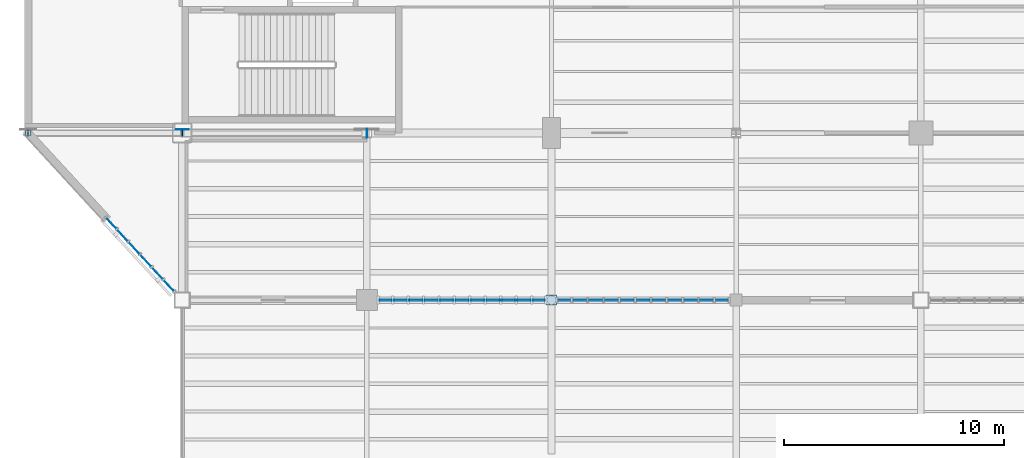
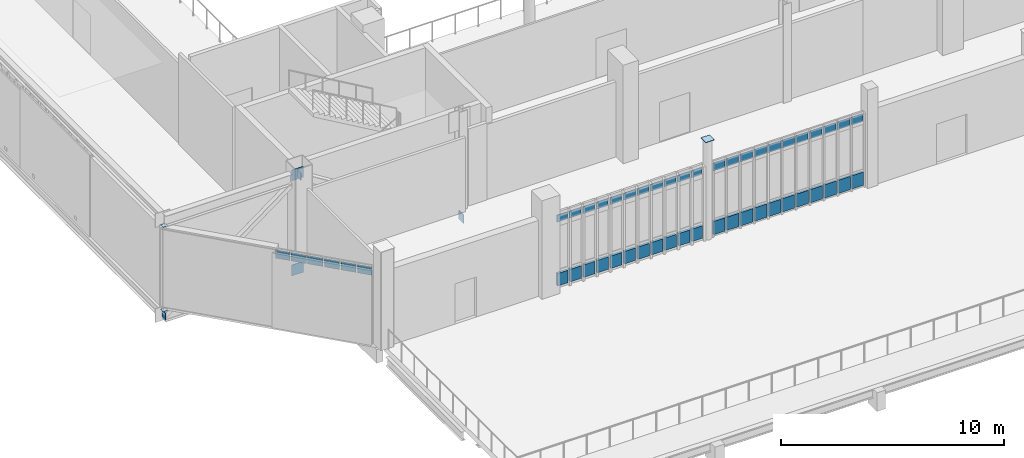
# One storey, part 84 of 127: 58 plates, 3 elements without a shape of their own.
"""IFC4 building model written with IfcOpenShell, lengths in metres."""

from ifc_helpers import new_model, si_unit, direction, frame, origin, origin_2d, place, context, subcontext, project, spatial, rectangle, extrude, material, layer, layer_set, type_object, element, aggregate, save


model = new_model("IFC4")

# Units and contexts
model_context = context("Model", 3, precision=1e-05, world=origin(), true_north=direction((0.0, 1.0)))
body_context = subcontext(model_context, "Body", "Model", "MODEL_VIEW")
ifc_project = project(units=[si_unit("LENGTHUNIT", "METRE"), si_unit("AREAUNIT", "SQUARE_METRE"), si_unit("VOLUMEUNIT", "CUBIC_METRE"), si_unit("PLANEANGLEUNIT", "RADIAN"), si_unit("MASSUNIT", "GRAM", prefix="KILO")], contexts=[model_context])

# Site, building, storey
site_placement = place(None, origin())
site = spatial("IfcSite", under=ifc_project, at=site_placement, CompositionType="ELEMENT")
building_placement = place(site_placement, origin())
building = spatial("IfcBuilding", under=site, at=building_placement, Name="Larkvane Passage Sports Hall", CompositionType="ELEMENT")
storey_placement = place(building_placement, frame((0.0, 0.0, 5.39990234375)))
storey = spatial("IfcBuildingStorey", under=building, at=storey_placement, Name="L01", CompositionType="ELEMENT", Elevation=5.39990234375)

# Curtain wall, plates
ifc_material_1 = material(Name="Thermally broken aluminium and low-E glazing", Category="aluminium")
curtain_wall_type_1 = type_object("IfcCurtainWallType", Name="CW-STICK-FOYER", PredefinedType="USERDEFINED", material=ifc_material_1)
curtain_wall_1_placement = place(storey_placement, origin())
curtain_wall_1 = element("IfcCurtainWall", 1, at=curtain_wall_1_placement, inside=storey, type_object=curtain_wall_type_1, Name="Curtain wall CW5-L01-030", ObjectType="STICK CURTAIN WALL", PredefinedType="USERDEFINED")
ifc_material_2 = material(Name="Fire-stopped shadow-box spandrel panel")
ifc_layer_1 = layer(ifc_material_2, 0.10498046875)
ifc_layer_set_1 = layer_set([ifc_layer_1], Name="Fire-stopped shadow-box spandrel panel")
plate_type_1 = type_object("IfcPlateType", Name="CWP-SPD-105", PredefinedType="CURTAIN_PANEL", material=ifc_layer_set_1)
plate_1_placement = place(storey_placement, frame((59.3486328125, 15.199951171875, 0.080078125), z_axis=(0.0, 0.0, 1.0), x_axis=(-1.0, 0.0, 0.0)))
plate_1 = element("IfcPlate", 2, at=plate_1_placement, type_object=plate_type_1, Name="CW-03 panel 1.1", PredefinedType="CURTAIN_PANEL", context=body_context, shape_type="SweptSolid", body=[
    extrude(rectangle(XDim=0.600830078125, YDim=0.10498046875, at=origin_2d()), origin(), (0.0, 0.0, 1.0), 0.72998046875),
])
plate_2_placement = place(storey_placement, frame((58.647705078125, 15.199951171875, 0.080078125), z_axis=(0.0, 0.0, 1.0), x_axis=(-1.0, 0.0, 0.0)))
plate_2 = element("IfcPlate", 3, at=plate_2_placement, type_object=plate_type_1, Name="CW-03 panel 2.1", PredefinedType="CURTAIN_PANEL", context=body_context, shape_type="SweptSolid", body=[
    extrude(rectangle(XDim=0.640869140625, YDim=0.10498046875, at=origin_2d()), origin(), (0.0, 0.0, 1.0), 0.72998046875),
])
plate_3_placement = place(storey_placement, frame((57.9267578125, 15.199951171875, 0.080078125), z_axis=(0.0, 0.0, 1.0), x_axis=(-1.0, 0.0, 0.0)))
plate_3 = element("IfcPlate", 4, at=plate_3_placement, type_object=plate_type_1, Name="CW-03 panel 3.1", PredefinedType="CURTAIN_PANEL", context=body_context, shape_type="SweptSolid", body=[
    extrude(rectangle(XDim=0.640869140625, YDim=0.10498046875, at=origin_2d()), origin(), (0.0, 0.0, 1.0), 0.72998046875),
])
plate_4_placement = place(storey_placement, frame((57.205810546875, 15.199951171875, 0.080078125), z_axis=(0.0, 0.0, 1.0), x_axis=(-1.0, 0.0, 0.0)))
plate_4 = element("IfcPlate", 5, at=plate_4_placement, type_object=plate_type_1, Name="CW-03 panel 4.1", PredefinedType="CURTAIN_PANEL", context=body_context, shape_type="SweptSolid", body=[
    extrude(rectangle(XDim=0.640869140625, YDim=0.10498046875, at=origin_2d()), origin(), (0.0, 0.0, 1.0), 0.72998046875),
])
plate_5_placement = place(storey_placement, frame((56.485107421875, 15.199951171875, 0.080078125), z_axis=(0.0, 0.0, 1.0), x_axis=(-1.0, 0.0, 0.0)))
plate_5 = element("IfcPlate", 6, at=plate_5_placement, type_object=plate_type_1, Name="CW-03 panel 5.1", PredefinedType="CURTAIN_PANEL", context=body_context, shape_type="SweptSolid", body=[
    extrude(rectangle(XDim=0.640869140625, YDim=0.10498046875, at=origin_2d()), origin(), (0.0, 0.0, 1.0), 0.72998046875),
])
plate_6_placement = place(storey_placement, frame((55.76416015625, 15.199951171875, 0.080078125), z_axis=(0.0, 0.0, 1.0), x_axis=(-1.0, 0.0, 0.0)))
plate_6 = element("IfcPlate", 7, at=plate_6_placement, type_object=plate_type_1, Name="CW-03 panel 6.1", PredefinedType="CURTAIN_PANEL", context=body_context, shape_type="SweptSolid", body=[
    extrude(rectangle(XDim=0.640869140625, YDim=0.10498046875, at=origin_2d()), origin(), (0.0, 0.0, 1.0), 0.72998046875),
])
plate_7_placement = place(storey_placement, frame((55.043212890625, 15.199951171875, 0.080078125), z_axis=(0.0, 0.0, 1.0), x_axis=(-1.0, 0.0, 0.0)))
plate_7 = element("IfcPlate", 8, at=plate_7_placement, type_object=plate_type_1, Name="CW-03 panel 7.1", PredefinedType="CURTAIN_PANEL", context=body_context, shape_type="SweptSolid", body=[
    extrude(rectangle(XDim=0.640869140625, YDim=0.10498046875, at=origin_2d()), origin(), (0.0, 0.0, 1.0), 0.72998046875),
])
plate_8_placement = place(storey_placement, frame((54.322265625, 15.199951171875, 0.080078125), z_axis=(0.0, 0.0, 1.0), x_axis=(-1.0, 0.0, 0.0)))
plate_8 = element("IfcPlate", 9, at=plate_8_placement, type_object=plate_type_1, Name="CW-03 panel 8.1", PredefinedType="CURTAIN_PANEL", context=body_context, shape_type="SweptSolid", body=[
    extrude(rectangle(XDim=0.640869140625, YDim=0.10498046875, at=origin_2d()), origin(), (0.0, 0.0, 1.0), 0.72998046875),
])
plate_9_placement = place(storey_placement, frame((53.601318359375, 15.199951171875, 0.080078125), z_axis=(0.0, 0.0, 1.0), x_axis=(-1.0, 0.0, 0.0)))
plate_9 = element("IfcPlate", 10, at=plate_9_placement, type_object=plate_type_1, Name="CW-03 panel 9.1", PredefinedType="CURTAIN_PANEL", context=body_context, shape_type="SweptSolid", body=[
    extrude(rectangle(XDim=0.640869140625, YDim=0.10498046875, at=origin_2d()), origin(), (0.0, 0.0, 1.0), 0.72998046875),
])
plate_10_placement = place(storey_placement, frame((52.880615234375, 15.199951171875, 0.080078125), z_axis=(0.0, 0.0, 1.0), x_axis=(-1.0, 0.0, 0.0)))
plate_10 = element("IfcPlate", 11, at=plate_10_placement, type_object=plate_type_1, Name="CW-03 panel 10.1", PredefinedType="CURTAIN_PANEL", context=body_context, shape_type="SweptSolid", body=[
    extrude(rectangle(XDim=0.640869140625, YDim=0.10498046875, at=origin_2d()), origin(), (0.0, 0.0, 1.0), 0.72998046875),
])
plate_11_placement = place(storey_placement, frame((52.1796875, 15.199951171875, 0.080078125), z_axis=(0.0, 0.0, 1.0), x_axis=(-1.0, 0.0, 0.0)))
plate_11 = element("IfcPlate", 12, at=plate_11_placement, type_object=plate_type_1, Name="CW-03 panel 11.1", PredefinedType="CURTAIN_PANEL", context=body_context, shape_type="SweptSolid", body=[
    extrude(rectangle(XDim=0.600830078125, YDim=0.10498046875, at=origin_2d()), origin(), (0.0, 0.0, 1.0), 0.72998046875),
])

curtain_wall_type_2 = type_object("IfcCurtainWallType", Name="CW-CLINIC", PredefinedType="USERDEFINED", material=ifc_material_1)
curtain_wall_2_placement = place(storey_placement, origin())
curtain_wall_2 = element("IfcCurtainWall", 13, at=curtain_wall_2_placement, inside=storey, type_object=curtain_wall_type_2, Name="Curtain wall CW5-L01-031", ObjectType="UNITISED CURTAIN WALL", PredefinedType="USERDEFINED")
ifc_material_3 = material(Name="Deep insulated facade spandrel panel")
ifc_layer_2 = layer(ifc_material_3, 0.125)
ifc_layer_set_2 = layer_set([ifc_layer_2], Name="Deep insulated facade spandrel panel")
plate_type_2 = type_object("IfcPlateType", Name="CWP-SPD-125", PredefinedType="CURTAIN_PANEL", material=ifc_layer_set_2)
plate_12_placement = place(storey_placement, frame((51.02197265625, 15.199951171875, 0.110107421875), z_axis=(0.0, 0.0, 1.0), x_axis=(-1.0, 0.0, 0.0)))
plate_12 = element("IfcPlate", 14, at=plate_12_placement, type_object=plate_type_2, Name="CW-05 panel 1.1", PredefinedType="CURTAIN_PANEL", context=body_context, shape_type="SweptSolid", body=[
    extrude(rectangle(XDim=0.53759765625, YDim=0.125, at=origin_2d()), origin(), (0.0, 0.0, 1.0), 0.68505859375),
])
plate_13_placement = place(storey_placement, frame((50.3466796875, 15.199951171875, 0.110107421875), z_axis=(0.0, 0.0, 1.0), x_axis=(-1.0, 0.0, 0.0)))
plate_13 = element("IfcPlate", 15, at=plate_13_placement, type_object=plate_type_2, Name="CW-05 panel 2.1", PredefinedType="CURTAIN_PANEL", context=body_context, shape_type="SweptSolid", body=[
    extrude(rectangle(XDim=0.5927734375, YDim=0.125, at=origin_2d()), origin(), (0.0, 0.0, 1.0), 0.68505859375),
])
plate_14_placement = place(storey_placement, frame((49.64404296875, 15.199951171875, 0.110107421875), z_axis=(0.0, 0.0, 1.0), x_axis=(-1.0, 0.0, 0.0)))
plate_14 = element("IfcPlate", 16, at=plate_14_placement, type_object=plate_type_2, Name="CW-05 panel 3.1", PredefinedType="CURTAIN_PANEL", context=body_context, shape_type="SweptSolid", body=[
    extrude(rectangle(XDim=0.5927734375, YDim=0.125, at=origin_2d()), origin(), (0.0, 0.0, 1.0), 0.68505859375),
])
plate_15_placement = place(storey_placement, frame((48.94140625, 15.199951171875, 0.110107421875), z_axis=(0.0, 0.0, 1.0), x_axis=(-1.0, 0.0, 0.0)))
plate_15 = element("IfcPlate", 17, at=plate_15_placement, type_object=plate_type_2, Name="CW-05 panel 4.1", PredefinedType="CURTAIN_PANEL", context=body_context, shape_type="SweptSolid", body=[
    extrude(rectangle(XDim=0.5927734375, YDim=0.125, at=origin_2d()), origin(), (0.0, 0.0, 1.0), 0.68505859375),
])
plate_16_placement = place(storey_placement, frame((48.238525390625, 15.199951171875, 0.110107421875), z_axis=(0.0, 0.0, 1.0), x_axis=(-1.0, 0.0, 0.0)))
plate_16 = element("IfcPlate", 18, at=plate_16_placement, type_object=plate_type_2, Name="CW-05 panel 5.1", PredefinedType="CURTAIN_PANEL", context=body_context, shape_type="SweptSolid", body=[
    extrude(rectangle(XDim=0.5927734375, YDim=0.125, at=origin_2d()), origin(), (0.0, 0.0, 1.0), 0.68505859375),
])
plate_17_placement = place(storey_placement, frame((47.535888671875, 15.199951171875, 0.110107421875), z_axis=(0.0, 0.0, 1.0), x_axis=(-1.0, 0.0, 0.0)))
plate_17 = element("IfcPlate", 19, at=plate_17_placement, type_object=plate_type_2, Name="CW-05 panel 6.1", PredefinedType="CURTAIN_PANEL", context=body_context, shape_type="SweptSolid", body=[
    extrude(rectangle(XDim=0.5927734375, YDim=0.125, at=origin_2d()), origin(), (0.0, 0.0, 1.0), 0.68505859375),
])
plate_18_placement = place(storey_placement, frame((46.833251953125, 15.199951171875, 0.110107421875), z_axis=(0.0, 0.0, 1.0), x_axis=(-1.0, 0.0, 0.0)))
plate_18 = element("IfcPlate", 20, at=plate_18_placement, type_object=plate_type_2, Name="CW-05 panel 7.1", PredefinedType="CURTAIN_PANEL", context=body_context, shape_type="SweptSolid", body=[
    extrude(rectangle(XDim=0.5927734375, YDim=0.125, at=origin_2d()), origin(), (0.0, 0.0, 1.0), 0.68505859375),
])
plate_19_placement = place(storey_placement, frame((46.13037109375, 15.199951171875, 0.110107421875), z_axis=(0.0, 0.0, 1.0), x_axis=(-1.0, 0.0, 0.0)))
plate_19 = element("IfcPlate", 21, at=plate_19_placement, type_object=plate_type_2, Name="CW-05 panel 8.1", PredefinedType="CURTAIN_PANEL", context=body_context, shape_type="SweptSolid", body=[
    extrude(rectangle(XDim=0.5927734375, YDim=0.125, at=origin_2d()), origin(), (0.0, 0.0, 1.0), 0.68505859375),
])
plate_20_placement = place(storey_placement, frame((45.427734375, 15.199951171875, 0.110107421875), z_axis=(0.0, 0.0, 1.0), x_axis=(-1.0, 0.0, 0.0)))
plate_20 = element("IfcPlate", 22, at=plate_20_placement, type_object=plate_type_2, Name="CW-05 panel 9.1", PredefinedType="CURTAIN_PANEL", context=body_context, shape_type="SweptSolid", body=[
    extrude(rectangle(XDim=0.5927734375, YDim=0.125, at=origin_2d()), origin(), (0.0, 0.0, 1.0), 0.68505859375),
])
plate_21_placement = place(storey_placement, frame((44.72509765625, 15.199951171875, 0.110107421875), z_axis=(0.0, 0.0, 1.0), x_axis=(-1.0, 0.0, 0.0)))
plate_21 = element("IfcPlate", 23, at=plate_21_placement, type_object=plate_type_2, Name="CW-05 panel 10.1", PredefinedType="CURTAIN_PANEL", context=body_context, shape_type="SweptSolid", body=[
    extrude(rectangle(XDim=0.5927734375, YDim=0.125, at=origin_2d()), origin(), (0.0, 0.0, 1.0), 0.68505859375),
])
plate_22_placement = place(storey_placement, frame((44.0498046875, 15.199951171875, 0.110107421875), z_axis=(0.0, 0.0, 1.0), x_axis=(-1.0, 0.0, 0.0)))
plate_22 = element("IfcPlate", 24, at=plate_22_placement, type_object=plate_type_2, Name="CW-05 panel 11.1", PredefinedType="CURTAIN_PANEL", context=body_context, shape_type="SweptSolid", body=[
    extrude(rectangle(XDim=0.53759765625, YDim=0.125, at=origin_2d()), origin(), (0.0, 0.0, 1.0), 0.68505859375),
])

curtain_wall_type_3 = type_object("IfcCurtainWallType", Name="CW-UNIT-COURT", PredefinedType="USERDEFINED", material=ifc_material_1)
curtain_wall_3_placement = place(storey_placement, origin())
curtain_wall_3 = element("IfcCurtainWall", 25, at=curtain_wall_3_placement, inside=storey, type_object=curtain_wall_type_3, Name="Curtain wall CW5-L01-032", ObjectType="UNITISED CURTAIN WALL", PredefinedType="USERDEFINED")
ifc_material_4 = material(Name="Solar-control low-E double glazing", Category="glass")
ifc_layer_3 = layer(ifc_material_4, 0.028076171875)
ifc_layer_set_3 = layer_set([ifc_layer_3], Name="Solar-control low-E double glazing")
plate_type_3 = type_object("IfcPlateType", Name="CWP-VIS-28", PredefinedType="CURTAIN_PANEL", material=ifc_layer_set_3)
plate_23_placement = place(storey_placement, frame((34.192626953125, 15.859375, 3.70068359375), z_axis=(0.0, 0.0, 1.0), x_axis=(-0.677477581746, 0.735543422397, 0.0)))
plate_23 = element("IfcPlate", 26, at=plate_23_placement, type_object=plate_type_3, Name="CW-01 panel 1.3", PredefinedType="CURTAIN_PANEL", context=body_context, shape_type="SweptSolid", body=[
    extrude(rectangle(XDim=0.681884765625, YDim=0.028076171875, at=origin_2d()), origin(), (0.0, 0.0, 1.0), 0.452392578125),
])
plate_24_placement = place(storey_placement, frame((33.67578125, 16.420654296875, 3.70068359375), z_axis=(0.0, 0.0, 1.0), x_axis=(-0.677477581746, 0.735543422397, 0.0)))
plate_24 = element("IfcPlate", 27, at=plate_24_placement, type_object=plate_type_3, Name="CW-01 panel 2.3", PredefinedType="CURTAIN_PANEL", context=body_context, shape_type="SweptSolid", body=[
    extrude(rectangle(XDim=0.71435546875, YDim=0.028076171875, at=origin_2d()), origin(), (0.0, 0.0, 1.0), 0.452392578125),
])
plate_25_placement = place(storey_placement, frame((33.147705078125, 16.993896484375, 3.70068359375), z_axis=(0.0, 0.0, 1.0), x_axis=(-0.677477581746, 0.735543422397, 0.0)))
plate_25 = element("IfcPlate", 28, at=plate_25_placement, type_object=plate_type_3, Name="CW-01 panel 3.3", PredefinedType="CURTAIN_PANEL", context=body_context, shape_type="SweptSolid", body=[
    extrude(rectangle(XDim=0.71435546875, YDim=0.028076171875, at=origin_2d()), origin(), (0.0, 0.0, 1.0), 0.452392578125),
])
plate_26_placement = place(storey_placement, frame((32.619873046875, 17.56689453125, 3.70068359375), z_axis=(0.0, 0.0, 1.0), x_axis=(-0.677477581746, 0.735543422397, 0.0)))
plate_26 = element("IfcPlate", 29, at=plate_26_placement, type_object=plate_type_3, Name="CW-01 panel 4.3", PredefinedType="CURTAIN_PANEL", context=body_context, shape_type="SweptSolid", body=[
    extrude(rectangle(XDim=0.71435546875, YDim=0.028076171875, at=origin_2d()), origin(), (0.0, 0.0, 1.0), 0.452392578125),
])
plate_27_placement = place(storey_placement, frame((32.092041015625, 18.14013671875, 3.70068359375), z_axis=(0.0, 0.0, 1.0), x_axis=(-0.677477581746, 0.735543422397, 0.0)))
plate_27 = element("IfcPlate", 30, at=plate_27_placement, type_object=plate_type_3, Name="CW-01 panel 5.3", PredefinedType="CURTAIN_PANEL", context=body_context, shape_type="SweptSolid", body=[
    extrude(rectangle(XDim=0.71435546875, YDim=0.028076171875, at=origin_2d()), origin(), (0.0, 0.0, 1.0), 0.452392578125),
])
plate_28_placement = place(storey_placement, frame((31.574951171875, 18.701416015625, 3.70068359375), z_axis=(0.0, 0.0, 1.0), x_axis=(-0.677477581746, 0.735543422397, 0.0)))
plate_28 = element("IfcPlate", 31, at=plate_28_placement, type_object=plate_type_3, Name="CW-01 panel 6.3", PredefinedType="CURTAIN_PANEL", context=body_context, shape_type="SweptSolid", body=[
    extrude(rectangle(XDim=0.681884765625, YDim=0.028076171875, at=origin_2d()), origin(), (0.0, 0.0, 1.0), 0.452392578125),
])
aggregate(curtain_wall_3, [plate_23, plate_24, plate_25, plate_26, plate_27, plate_28])

# Plate
ifc_material_5 = material(Name="High-impact court low-E glazing", Category="glass")
ifc_layer_4 = layer(ifc_material_5, 0.035888671875)
ifc_layer_set_4 = layer_set([ifc_layer_4], Name="High-impact court low-E glazing")
plate_type_4 = type_object("IfcPlateType", Name="CWP-VIS-36", PredefinedType="CURTAIN_PANEL", material=ifc_layer_set_4)
plate_29_placement = place(storey_placement, frame((59.3486328125, 15.199951171875, 3.55810546875), z_axis=(0.0, 0.0, 1.0), x_axis=(-1.0, 0.0, 0.0)))
plate_29 = element("IfcPlate", 32, at=plate_29_placement, type_object=plate_type_4, Name="CW-03 panel 1.3", PredefinedType="CURTAIN_PANEL", context=body_context, shape_type="SweptSolid", body=[
    extrude(rectangle(XDim=0.600830078125, YDim=0.035888671875, at=origin_2d()), origin(), (0.0, 0.0, 1.0), 0.429931640625),
])

plate_30_placement = place(storey_placement, frame((58.647705078125, 15.199951171875, 3.55810546875), z_axis=(0.0, 0.0, 1.0), x_axis=(-1.0, 0.0, 0.0)))
plate_30 = element("IfcPlate", 33, at=plate_30_placement, type_object=plate_type_4, Name="CW-03 panel 2.3", PredefinedType="CURTAIN_PANEL", context=body_context, shape_type="SweptSolid", body=[
    extrude(rectangle(XDim=0.640869140625, YDim=0.035888671875, at=origin_2d()), origin(), (0.0, 0.0, 1.0), 0.429931640625),
])

plate_31_placement = place(storey_placement, frame((57.9267578125, 15.199951171875, 3.55810546875), z_axis=(0.0, 0.0, 1.0), x_axis=(-1.0, 0.0, 0.0)))
plate_31 = element("IfcPlate", 34, at=plate_31_placement, type_object=plate_type_4, Name="CW-03 panel 3.3", PredefinedType="CURTAIN_PANEL", context=body_context, shape_type="SweptSolid", body=[
    extrude(rectangle(XDim=0.640869140625, YDim=0.035888671875, at=origin_2d()), origin(), (0.0, 0.0, 1.0), 0.429931640625),
])

plate_32_placement = place(storey_placement, frame((57.205810546875, 15.199951171875, 3.55810546875), z_axis=(0.0, 0.0, 1.0), x_axis=(-1.0, 0.0, 0.0)))
plate_32 = element("IfcPlate", 35, at=plate_32_placement, type_object=plate_type_4, Name="CW-03 panel 4.3", PredefinedType="CURTAIN_PANEL", context=body_context, shape_type="SweptSolid", body=[
    extrude(rectangle(XDim=0.640869140625, YDim=0.035888671875, at=origin_2d()), origin(), (0.0, 0.0, 1.0), 0.429931640625),
])

plate_33_placement = place(storey_placement, frame((56.485107421875, 15.199951171875, 3.55810546875), z_axis=(0.0, 0.0, 1.0), x_axis=(-1.0, 0.0, 0.0)))
plate_33 = element("IfcPlate", 36, at=plate_33_placement, type_object=plate_type_4, Name="CW-03 panel 5.3", PredefinedType="CURTAIN_PANEL", context=body_context, shape_type="SweptSolid", body=[
    extrude(rectangle(XDim=0.640869140625, YDim=0.035888671875, at=origin_2d()), origin(), (0.0, 0.0, 1.0), 0.429931640625),
])

plate_34_placement = place(storey_placement, frame((55.76416015625, 15.199951171875, 3.55810546875), z_axis=(0.0, 0.0, 1.0), x_axis=(-1.0, 0.0, 0.0)))
plate_34 = element("IfcPlate", 37, at=plate_34_placement, type_object=plate_type_4, Name="CW-03 panel 6.3", PredefinedType="CURTAIN_PANEL", context=body_context, shape_type="SweptSolid", body=[
    extrude(rectangle(XDim=0.640869140625, YDim=0.035888671875, at=origin_2d()), origin(), (0.0, 0.0, 1.0), 0.429931640625),
])

plate_35_placement = place(storey_placement, frame((55.043212890625, 15.199951171875, 3.55810546875), z_axis=(0.0, 0.0, 1.0), x_axis=(-1.0, 0.0, 0.0)))
plate_35 = element("IfcPlate", 38, at=plate_35_placement, type_object=plate_type_4, Name="CW-03 panel 7.3", PredefinedType="CURTAIN_PANEL", context=body_context, shape_type="SweptSolid", body=[
    extrude(rectangle(XDim=0.640869140625, YDim=0.035888671875, at=origin_2d()), origin(), (0.0, 0.0, 1.0), 0.429931640625),
])

plate_36_placement = place(storey_placement, frame((54.322265625, 15.199951171875, 3.55810546875), z_axis=(0.0, 0.0, 1.0), x_axis=(-1.0, 0.0, 0.0)))
plate_36 = element("IfcPlate", 39, at=plate_36_placement, type_object=plate_type_4, Name="CW-03 panel 8.3", PredefinedType="CURTAIN_PANEL", context=body_context, shape_type="SweptSolid", body=[
    extrude(rectangle(XDim=0.640869140625, YDim=0.035888671875, at=origin_2d()), origin(), (0.0, 0.0, 1.0), 0.429931640625),
])

plate_37_placement = place(storey_placement, frame((53.601318359375, 15.199951171875, 3.55810546875), z_axis=(0.0, 0.0, 1.0), x_axis=(-1.0, 0.0, 0.0)))
plate_37 = element("IfcPlate", 40, at=plate_37_placement, type_object=plate_type_4, Name="CW-03 panel 9.3", PredefinedType="CURTAIN_PANEL", context=body_context, shape_type="SweptSolid", body=[
    extrude(rectangle(XDim=0.640869140625, YDim=0.035888671875, at=origin_2d()), origin(), (0.0, 0.0, 1.0), 0.429931640625),
])

plate_38_placement = place(storey_placement, frame((52.880615234375, 15.199951171875, 3.55810546875), z_axis=(0.0, 0.0, 1.0), x_axis=(-1.0, 0.0, 0.0)))
plate_38 = element("IfcPlate", 41, at=plate_38_placement, type_object=plate_type_4, Name="CW-03 panel 10.3", PredefinedType="CURTAIN_PANEL", context=body_context, shape_type="SweptSolid", body=[
    extrude(rectangle(XDim=0.640869140625, YDim=0.035888671875, at=origin_2d()), origin(), (0.0, 0.0, 1.0), 0.429931640625),
])

plate_39_placement = place(storey_placement, frame((52.1796875, 15.199951171875, 3.55810546875), z_axis=(0.0, 0.0, 1.0), x_axis=(-1.0, 0.0, 0.0)))
plate_39 = element("IfcPlate", 42, at=plate_39_placement, type_object=plate_type_4, Name="CW-03 panel 11.3", PredefinedType="CURTAIN_PANEL", context=body_context, shape_type="SweptSolid", body=[
    extrude(rectangle(XDim=0.600830078125, YDim=0.035888671875, at=origin_2d()), origin(), (0.0, 0.0, 1.0), 0.429931640625),
])

aggregate(curtain_wall_1, [plate_1, plate_29, plate_2, plate_30, plate_3, plate_31, plate_4, plate_32, plate_5, plate_33, plate_6, plate_34, plate_7, plate_35, plate_8, plate_36, plate_9, plate_37, plate_10, plate_38, plate_11, plate_39])

ifc_material_6 = material(Name="Triple-laminated typhoon glazing", Category="glass")
ifc_layer_5 = layer(ifc_material_6, 0.0419921875)
ifc_layer_set_5 = layer_set([ifc_layer_5], Name="Triple-laminated typhoon glazing")
plate_type_5 = type_object("IfcPlateType", Name="CWP-VIS-42", PredefinedType="CURTAIN_PANEL", material=ifc_layer_set_5)
plate_40_placement = place(storey_placement, frame((51.02197265625, 15.199951171875, 3.5830078125), z_axis=(0.0, 0.0, 1.0), x_axis=(-1.0, 0.0, 0.0)))
plate_40 = element("IfcPlate", 43, at=plate_40_placement, type_object=plate_type_5, Name="CW-05 panel 1.3", PredefinedType="CURTAIN_PANEL", context=body_context, shape_type="SweptSolid", body=[
    extrude(rectangle(XDim=0.53759765625, YDim=0.0419921875, at=origin_2d()), origin(), (0.0, 0.0, 1.0), 0.385009765625),
])

plate_41_placement = place(storey_placement, frame((50.3466796875, 15.199951171875, 3.5830078125), z_axis=(0.0, 0.0, 1.0), x_axis=(-1.0, 0.0, 0.0)))
plate_41 = element("IfcPlate", 44, at=plate_41_placement, type_object=plate_type_5, Name="CW-05 panel 2.3", PredefinedType="CURTAIN_PANEL", context=body_context, shape_type="SweptSolid", body=[
    extrude(rectangle(XDim=0.5927734375, YDim=0.0419921875, at=origin_2d()), origin(), (0.0, 0.0, 1.0), 0.385009765625),
])

plate_42_placement = place(storey_placement, frame((49.64404296875, 15.199951171875, 3.5830078125), z_axis=(0.0, 0.0, 1.0), x_axis=(-1.0, 0.0, 0.0)))
plate_42 = element("IfcPlate", 45, at=plate_42_placement, type_object=plate_type_5, Name="CW-05 panel 3.3", PredefinedType="CURTAIN_PANEL", context=body_context, shape_type="SweptSolid", body=[
    extrude(rectangle(XDim=0.5927734375, YDim=0.0419921875, at=origin_2d()), origin(), (0.0, 0.0, 1.0), 0.385009765625),
])

plate_43_placement = place(storey_placement, frame((48.94140625, 15.199951171875, 3.5830078125), z_axis=(0.0, 0.0, 1.0), x_axis=(-1.0, 0.0, 0.0)))
plate_43 = element("IfcPlate", 46, at=plate_43_placement, type_object=plate_type_5, Name="CW-05 panel 4.3", PredefinedType="CURTAIN_PANEL", context=body_context, shape_type="SweptSolid", body=[
    extrude(rectangle(XDim=0.5927734375, YDim=0.0419921875, at=origin_2d()), origin(), (0.0, 0.0, 1.0), 0.385009765625),
])

plate_44_placement = place(storey_placement, frame((48.238525390625, 15.199951171875, 3.5830078125), z_axis=(0.0, 0.0, 1.0), x_axis=(-1.0, 0.0, 0.0)))
plate_44 = element("IfcPlate", 47, at=plate_44_placement, type_object=plate_type_5, Name="CW-05 panel 5.3", PredefinedType="CURTAIN_PANEL", context=body_context, shape_type="SweptSolid", body=[
    extrude(rectangle(XDim=0.5927734375, YDim=0.0419921875, at=origin_2d()), origin(), (0.0, 0.0, 1.0), 0.385009765625),
])

plate_45_placement = place(storey_placement, frame((47.535888671875, 15.199951171875, 3.5830078125), z_axis=(0.0, 0.0, 1.0), x_axis=(-1.0, 0.0, 0.0)))
plate_45 = element("IfcPlate", 48, at=plate_45_placement, type_object=plate_type_5, Name="CW-05 panel 6.3", PredefinedType="CURTAIN_PANEL", context=body_context, shape_type="SweptSolid", body=[
    extrude(rectangle(XDim=0.5927734375, YDim=0.0419921875, at=origin_2d()), origin(), (0.0, 0.0, 1.0), 0.385009765625),
])

plate_46_placement = place(storey_placement, frame((46.833251953125, 15.199951171875, 3.5830078125), z_axis=(0.0, 0.0, 1.0), x_axis=(-1.0, 0.0, 0.0)))
plate_46 = element("IfcPlate", 49, at=plate_46_placement, type_object=plate_type_5, Name="CW-05 panel 7.3", PredefinedType="CURTAIN_PANEL", context=body_context, shape_type="SweptSolid", body=[
    extrude(rectangle(XDim=0.5927734375, YDim=0.0419921875, at=origin_2d()), origin(), (0.0, 0.0, 1.0), 0.385009765625),
])

plate_47_placement = place(storey_placement, frame((46.13037109375, 15.199951171875, 3.5830078125), z_axis=(0.0, 0.0, 1.0), x_axis=(-1.0, 0.0, 0.0)))
plate_47 = element("IfcPlate", 50, at=plate_47_placement, type_object=plate_type_5, Name="CW-05 panel 8.3", PredefinedType="CURTAIN_PANEL", context=body_context, shape_type="SweptSolid", body=[
    extrude(rectangle(XDim=0.5927734375, YDim=0.0419921875, at=origin_2d()), origin(), (0.0, 0.0, 1.0), 0.385009765625),
])

plate_48_placement = place(storey_placement, frame((45.427734375, 15.199951171875, 3.5830078125), z_axis=(0.0, 0.0, 1.0), x_axis=(-1.0, 0.0, 0.0)))
plate_48 = element("IfcPlate", 51, at=plate_48_placement, type_object=plate_type_5, Name="CW-05 panel 9.3", PredefinedType="CURTAIN_PANEL", context=body_context, shape_type="SweptSolid", body=[
    extrude(rectangle(XDim=0.5927734375, YDim=0.0419921875, at=origin_2d()), origin(), (0.0, 0.0, 1.0), 0.385009765625),
])

plate_49_placement = place(storey_placement, frame((44.72509765625, 15.199951171875, 3.5830078125), z_axis=(0.0, 0.0, 1.0), x_axis=(-1.0, 0.0, 0.0)))
plate_49 = element("IfcPlate", 52, at=plate_49_placement, type_object=plate_type_5, Name="CW-05 panel 10.3", PredefinedType="CURTAIN_PANEL", context=body_context, shape_type="SweptSolid", body=[
    extrude(rectangle(XDim=0.5927734375, YDim=0.0419921875, at=origin_2d()), origin(), (0.0, 0.0, 1.0), 0.385009765625),
])

plate_50_placement = place(storey_placement, frame((44.0498046875, 15.199951171875, 3.5830078125), z_axis=(0.0, 0.0, 1.0), x_axis=(-1.0, 0.0, 0.0)))
plate_50 = element("IfcPlate", 53, at=plate_50_placement, type_object=plate_type_5, Name="CW-05 panel 11.3", PredefinedType="CURTAIN_PANEL", context=body_context, shape_type="SweptSolid", body=[
    extrude(rectangle(XDim=0.53759765625, YDim=0.0419921875, at=origin_2d()), origin(), (0.0, 0.0, 1.0), 0.385009765625),
])

aggregate(curtain_wall_2, [plate_12, plate_40, plate_13, plate_41, plate_14, plate_42, plate_15, plate_43, plate_16, plate_44, plate_17, plate_45, plate_18, plate_46, plate_19, plate_47, plate_20, plate_48, plate_21, plate_49, plate_22, plate_50])

# Plates
ifc_material_7 = material(Name="Steel S355JR", Category="steel")
ifc_layer_6 = layer(ifc_material_7, 0.011962890625)
ifc_layer_set_6 = layer_set([ifc_layer_6], Name="Steel S355JR")
plate_type_6 = type_object("IfcPlateType", Name="PLT-CAP-12", PredefinedType="SHEET", material=ifc_layer_set_6)
for number, where, z_axis, x_axis, name in (
    (54, (27.795166015625, 22.800048828125, -0.713623046875), (0.0, 0.0, 1.0), (0.0, 1.0, 0.0), "Hollow section sealed end cap plate 0079"),
    (55, (34.8046875, 22.800048828125, 4.503662109375), (0.0, 0.0, 1.0), (0.0, 1.0, 0.0), "Hollow section sealed end cap plate 0080"),
):
    element("IfcPlate", number, at=place(storey_placement, frame(where, z_axis=z_axis, x_axis=x_axis)), inside=storey, type_object=plate_type_6, Name=name, PredefinedType="SHEET", context=body_context, shape_type="SweptSolid", body=[
        extrude(rectangle(XDim=0.31005859375, YDim=0.028076171875, at=origin_2d()), origin(), (0.0, 0.0, 1.0), 0.3720703125),
    ])
for number, where, z_axis, x_axis, name in (
    (56, (27.800048828125, 22.800048828125, -0.24169921875), (0.0, 0.0, 1.0), (1.0, 0.0, 0.0), "Hollow section sealed end cap plate 0082"),
    (57, (27.800048828125, 22.800048828125, 4.39208984375), (0.0, 0.0, 1.0), (1.0, 0.0, 0.0), "Hollow section sealed end cap plate 0083"),
):
    element("IfcPlate", number, at=place(storey_placement, frame(where, z_axis=z_axis, x_axis=x_axis)), inside=storey, type_object=plate_type_6, Name=name, PredefinedType="SHEET", context=body_context, shape_type="SweptSolid", body=[
        extrude(rectangle(XDim=0.239990234375, YDim=0.239990234375, at=origin_2d()), origin(), (0.0, 0.0, 1.0), 0.011962890625),
    ])
ifc_material_8 = material(Name="Steel S460N", Category="steel")
ifc_layer_7 = layer(ifc_material_8, 0.02001953125)
ifc_layer_set_7 = layer_set([ifc_layer_7], Name="Steel S460N")
plate_type_7 = type_object("IfcPlateType", Name="PLT-CAP-20", PredefinedType="SHEET", material=ifc_layer_set_7)
plate_51_placement = place(storey_placement, frame((51.60009765625, 15.199951171875, 5.400146484375), z_axis=(0.0, 0.0, 1.0), x_axis=(1.0, 0.0, 0.0)))
element("IfcPlate", 58, at=plate_51_placement, inside=storey, type_object=plate_type_7, Name="Hollow section sealed end cap plate 0008", PredefinedType="SHEET", context=body_context, shape_type="SweptSolid", body=[
    extrude(rectangle(XDim=0.446044921875, YDim=0.446044921875, at=origin_2d()), origin(), (0.0, 0.0, 1.0), 0.02001953125),
])
plate_52_placement = place(storey_placement, frame((43.20849609375, 22.800048828125, -0.76513671875), z_axis=(0.0, 0.0, 1.0), x_axis=(0.0, 1.0, 0.0)))
element("IfcPlate", 59, at=plate_52_placement, inside=storey, type_object=plate_type_7, Name="Hollow section sealed end cap plate 0081", PredefinedType="SHEET", context=body_context, shape_type="SweptSolid", body=[
    extrude(rectangle(XDim=0.409912109375, YDim=0.028076171875, at=origin_2d()), origin(), (0.0, 0.0, 1.0), 0.471923828125),
])
ifc_layer_8 = layer(ifc_material_8, 0.01611328125)
ifc_layer_set_8 = layer_set([ifc_layer_8], Name="Steel S460N")
plate_type_8 = type_object("IfcPlateType", Name="PLT-GUS-16", PredefinedType="USERDEFINED", material=ifc_layer_set_8)
for number, where, z_axis, x_axis, name in (
    (60, (34.800048828125, 22.9580078125, -0.823974609375), (0.0, 0.0, 1.0), (1.0, 0.0, 0.0), "Truss node gusset plate ND-2B (CT-W1A-1)"),
    (61, (34.800048828125, 22.9580078125, 4.385986328125), (0.0, 0.0, 1.0), (1.0, 0.0, 0.0), "Truss node gusset plate ND-2T (CT-W1A-1)"),
):
    element("IfcPlate", number, at=place(storey_placement, frame(where, z_axis=z_axis, x_axis=x_axis)), inside=storey, type_object=plate_type_8, Name=name, ObjectType="GUSSET PLATE", PredefinedType="USERDEFINED", context=body_context, shape_type="SweptSolid", body=[
        extrude(rectangle(XDim=0.60009765625, YDim=0.01611328125, at=origin_2d()), origin(), (0.0, 0.0, 1.0), 0.60009765625),
    ])

save(model, "model.ifc")
